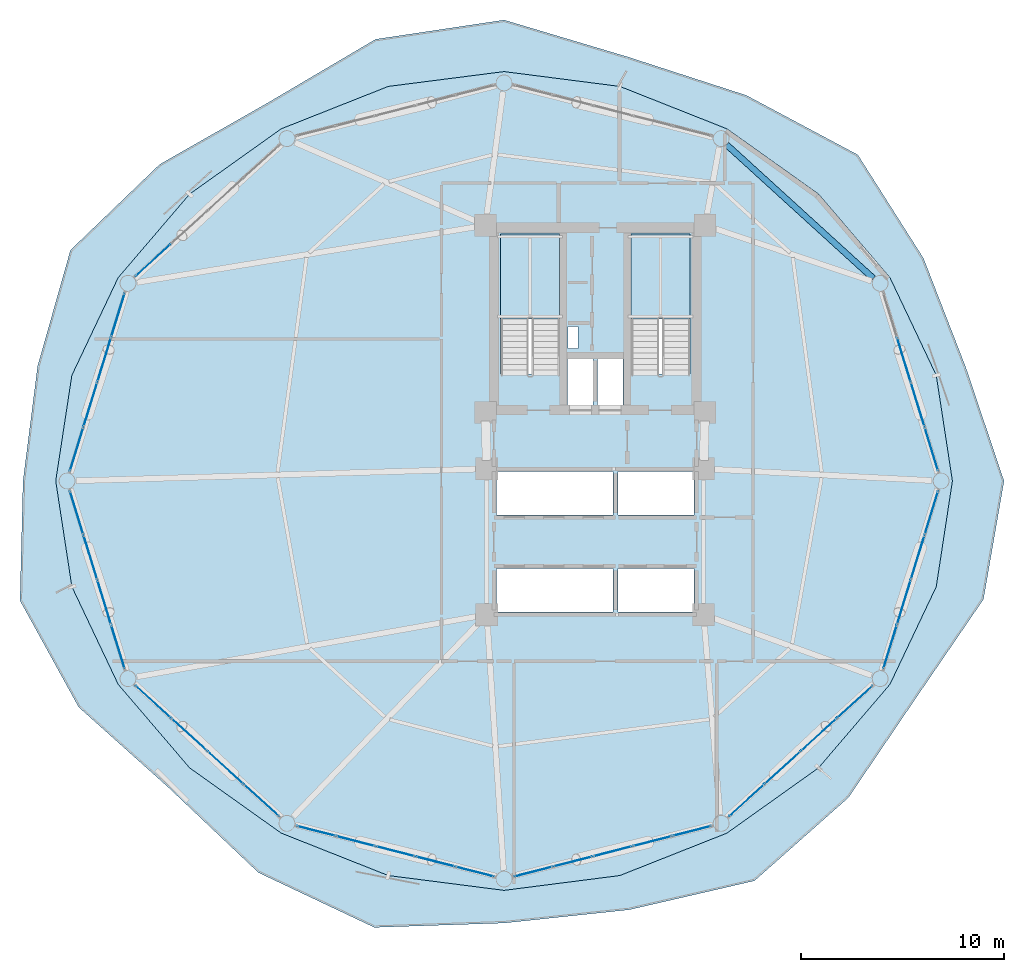
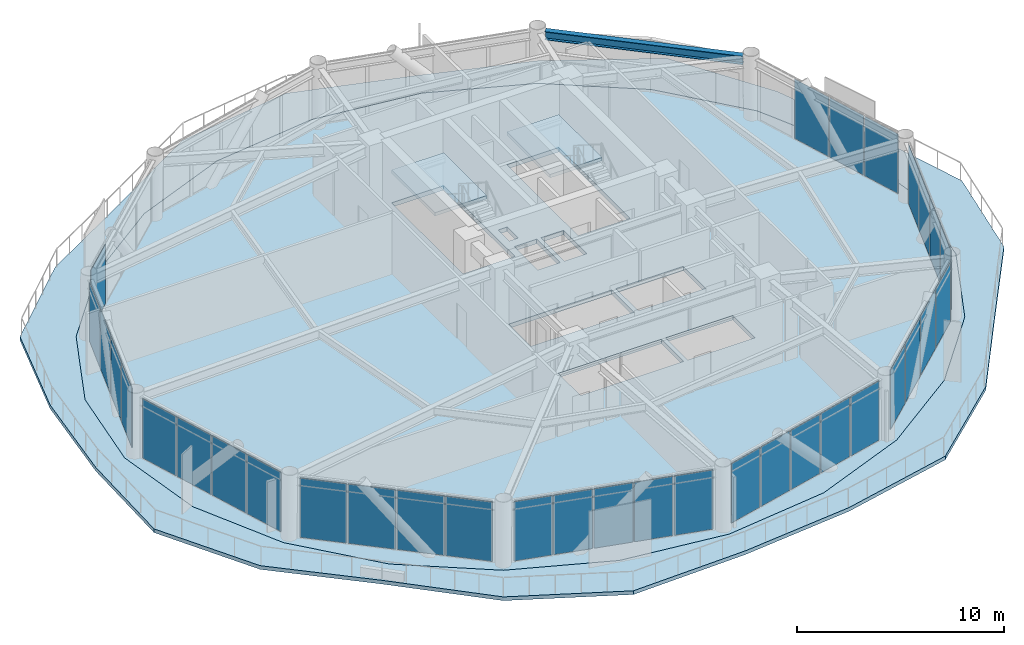
# One storey, part 18 of 24: 34 plates, 4 slabs, 1 beam, 11 elements without a shape of their own.
"""IFC4 building model written with IfcOpenShell, lengths in metres."""

from ifc_helpers import new_model, si_unit, direction, frame, origin, origin_2d, place, context, subcontext, project, spatial, polyline, rectangle, i_section, outline, extrude, source, transform, mapped, material, layer, layer_set, material_profile, profile_set, type_object, type_shapes, element, aggregate, save


model = new_model("IFC4")

# Units and contexts
model_context = context("Model", 3, precision=1e-05, world=origin(), true_north=direction((0.0, 1.0)))
body_context = subcontext(model_context, "Body", "Model", "MODEL_VIEW")
ifc_project = project(units=[si_unit("LENGTHUNIT", "METRE"), si_unit("AREAUNIT", "SQUARE_METRE"), si_unit("VOLUMEUNIT", "CUBIC_METRE"), si_unit("PLANEANGLEUNIT", "RADIAN"), si_unit("MASSUNIT", "GRAM", prefix="KILO")], contexts=[model_context])

# Site, building, storey
site_placement = place(None, origin())
site = spatial("IfcSite", under=ifc_project, at=site_placement, CompositionType="ELEMENT")
building_placement = place(site_placement, origin())
building = spatial("IfcBuilding", under=site, at=building_placement, Name="Varnakorn Sky Granary", CompositionType="ELEMENT")
storey_placement = place(building_placement, frame((0.0, 0.0, 103.199951171875)))
storey = spatial("IfcBuildingStorey", under=building, at=storey_placement, Name="L25", CompositionType="ELEMENT", Elevation=103.199951171875)

# Beam
ifc_material_1 = material(Name="Steel S355JR", Category="steel")
ifc_material_profile = material_profile(ifc_material_1, i_section(OverallWidth=0.300048828125, OverallDepth=0.5, WebThickness=0.014404296875, FlangeThickness=0.028076171875, at=origin_2d()), Name="HE 500 B")
ifc_profile_set = profile_set([ifc_material_profile], Name="Steel S355JR")
beam_type = type_object("IfcBeamType", Name="BM-SPD-Z2", PredefinedType="SPANDREL", material=ifc_profile_set)
beam_placement = place(storey_placement, frame((16.72802734375, 10.002197265625, 3.39013671875), z_axis=(-0.739273749752, 0.67340502146, 0.0), x_axis=(-0.67340502146, -0.739273749752, 0.0)))
element("IfcBeam", 1, at=beam_placement, inside=storey, type_object=beam_type, Name="Perimeter Spandrel Ring Beam RB02 L25", PredefinedType="SPANDREL", context=body_context, shape_type="SweptSolid", body=[
    extrude(i_section(OverallWidth=0.300048828125, OverallDepth=0.5, WebThickness=0.014404296875, FlangeThickness=0.028076171875, at=origin_2d()), origin(), (0.0, 0.0, 1.0), 9.8037109375),
])

# Stair, slab
ifc_material_2 = material(Name="Concrete C40/50", Category="concrete")
stair_type = type_object("IfcStairType", Name="ST-MAIN-ASSEMBLY", PredefinedType="HALF_TURN_STAIR", material=ifc_material_2)
stair_1_placement = place(storey_placement, origin())
stair_1 = element("IfcStair", 2, at=stair_1_placement, inside=storey, type_object=stair_type, Name="L25 Protected Exit Stair ST-1", PredefinedType="HALF_TURN_STAIR")
ifc_layer_1 = layer(ifc_material_2, 0.199951171875, Name="Concrete C40/50")
ifc_layer_set_1 = layer_set([ifc_layer_1], Name="Concrete C40/50")
slab_type_1 = type_object("IfcSlabType", Name="ST-MAIN-LAND", PredefinedType="LANDING", material=ifc_layer_set_1)
slab_1_placement = place(storey_placement, frame((0.0, 0.0, 1.75)))
slab_1 = element("IfcSlab", 3, at=slab_1_placement, type_object=slab_type_1, Name="ST-1 landing 1", PredefinedType="LANDING", context=body_context, shape_type="SweptSolid", body=[
    extrude(outline(polyline([(1.239990234375, 8.0), (1.239990234375, 12.179931640625), (-1.669921875, 12.179931640625), (-1.669921875, 8.0), (1.239990234375, 8.0)])), origin(), (0.0, 0.0, 1.0), 0.199951171875),
])
aggregate(stair_1, [slab_1])

stair_2_placement = place(storey_placement, origin())
stair_2 = element("IfcStair", 4, at=stair_2_placement, inside=storey, type_object=stair_type, Name="L25 Protected Exit Stair ST-2", PredefinedType="HALF_TURN_STAIR")
slab_2_placement = place(storey_placement, frame((0.0, 0.0, 1.75)))
slab_2 = element("IfcSlab", 5, at=slab_2_placement, type_object=slab_type_1, Name="ST-2 landing 1", PredefinedType="LANDING", context=body_context, shape_type="SweptSolid", body=[
    extrude(outline(polyline([(7.679931640625, 8.0), (7.679931640625, 12.179931640625), (4.77001953125, 12.179931640625), (4.77001953125, 8.0), (7.679931640625, 8.0)])), origin(), (0.0, 0.0, 1.0), 0.199951171875),
])
aggregate(stair_2, [slab_2])

# Slabs
ifc_material_3 = material(Name="Precast concrete C40/50", Category="concrete")
ifc_layer_2 = layer(ifc_material_3, 0.219970703125, Name="Precast concrete C40/50")
ifc_layer_set_2 = layer_set([ifc_layer_2], Name="Precast concrete C40/50")
slab_type_2 = type_object("IfcSlabType", Name="ST-SL-DECK-220", PredefinedType="FLOOR", material=ifc_layer_set_2)
slab_3_placement = place(storey_placement, frame((0.0, 0.0, -0.219970703125)))
element("IfcSlab", 6, at=slab_3_placement, inside=storey, type_object=slab_type_2, Name="Wavy Sky-Farm Balcony Deck L25", PredefinedType="FLOOR", context=body_context, shape_type="SweptSolid", body=[
    extrude(outline(polyline([(23.1796875, 0.0), (21.29248046875, 5.609619140625), (19.2041015625, 10.9921875), (15.960693359375, 16.100830078125), (10.45361328125, 19.038818359375), (4.607177734375, 20.934814453125), (-1.5, 22.756591796875), (-7.840576171875, 21.805908203125), (-13.22021484375, 18.634765625), (-18.493896484375, 15.634033203125), (-22.904296875, 11.396240234375), (-24.525634765625, 5.672119140625), (-25.246337890625, 0.0), (-25.396484375, -5.905517578125), (-22.5, -11.162841796875), (-18.027099609375, -15.16748046875), (-13.62451171875, -19.334716796875), (-7.903076171875, -22.0390625), (-1.5, -21.8232421875), (4.669677734375, -21.168212890625), (10.85791015625, -19.739013671875), (15.493896484375, -15.634033203125), (18.800048828125, -10.7587890625), (22.163330078125, -5.8427734375), (23.1796875, 0.0)]), holes=[polyline([(20.633056640625, 0.0), (19.83544921875, 5.218994140625), (17.55078125, 10.03759765625), (14.023193359375, 14.163330078125), (9.4990234375, 17.385498046875), (4.216796875, 19.477783203125), (-1.5, 20.2099609375), (-7.216796875, 19.477783203125), (-12.4990234375, 17.385498046875), (-17.023193359375, 14.163330078125), (-20.55078125, 10.03759765625), (-22.83544921875, 5.218994140625), (-23.633056640625, 0.0), (-22.83544921875, -5.218994140625), (-20.55078125, -10.03759765625), (-17.023193359375, -14.163330078125), (-12.4990234375, -17.385498046875), (-7.216796875, -19.477783203125), (-1.5, -20.2099609375), (4.216796875, -19.477783203125), (9.4990234375, -17.385498046875), (14.023193359375, -14.163330078125), (17.55078125, -10.03759765625), (19.83544921875, -5.218994140625), (20.633056640625, 0.0)])]), origin(), (0.0, 0.0, 1.0), 0.219970703125),
])
ifc_material_4 = material(Name="Concrete C50/60", Category="concrete")
ifc_layer_3 = layer(ifc_material_4, 0.260009765625, Name="Concrete C50/60")
ifc_layer_set_3 = layer_set([ifc_layer_3], Name="Concrete C50/60")
slab_type_3 = type_object("IfcSlabType", Name="ST-SL-TWR-260", PredefinedType="FLOOR", material=ifc_layer_set_3)
slab_4_placement = place(storey_placement, frame((0.0, 0.0, -0.260009765625)))
element("IfcSlab", 7, at=slab_4_placement, inside=storey, type_object=slab_type_3, Name="Level L25 Structural Floor Slab", PredefinedType="FLOOR", context=body_context, shape_type="SweptSolid", body=[
    extrude(outline(polyline([(20.633056640625, 0.0), (19.83544921875, 5.218994140625), (17.55078125, 10.03759765625), (14.023193359375, 14.163330078125), (9.4990234375, 17.385498046875), (4.216796875, 19.477783203125), (-1.5, 20.2099609375), (-7.216796875, 19.477783203125), (-12.4990234375, 17.385498046875), (-17.023193359375, 14.163330078125), (-20.55078125, 10.03759765625), (-22.83544921875, 5.218994140625), (-23.633056640625, 0.0), (-22.83544921875, -5.218994140625), (-20.55078125, -10.03759765625), (-17.023193359375, -14.163330078125), (-12.4990234375, -17.385498046875), (-7.216796875, -19.477783203125), (-1.5, -20.2099609375), (4.216796875, -19.477783203125), (9.4990234375, -17.385498046875), (14.023193359375, -14.163330078125), (17.55078125, -10.03759765625), (19.83544921875, -5.218994140625), (20.633056640625, 0.0)]), holes=[polyline([(1.239990234375, 5.27490234375), (1.239990234375, 12.179931640625), (-1.669921875, 12.179931640625), (-1.669921875, 5.27490234375), (1.239990234375, 5.27490234375)]), polyline([(7.679931640625, 5.27490234375), (7.679931640625, 12.179931640625), (4.77001953125, 12.179931640625), (4.77001953125, 5.27490234375), (7.679931640625, 5.27490234375)]), polyline([(1.659912109375, 6.550048828125), (2.14990234375, 6.550048828125), (2.14990234375, 7.6201171875), (1.659912109375, 7.6201171875), (1.659912109375, 6.550048828125)]), polyline([(1.6201171875, 3.739990234375), (2.8798828125, 3.739990234375), (2.8798828125, 6.010009765625), (1.6201171875, 6.010009765625), (1.6201171875, 3.739990234375)]), polyline([(3.1201171875, 3.739990234375), (4.3798828125, 3.739990234375), (4.3798828125, 6.010009765625), (3.1201171875, 6.010009765625), (3.1201171875, 3.739990234375)]), polyline([(-1.8798828125, -1.679931640625), (3.8798828125, -1.679931640625), (3.8798828125, 0.47998046875), (-1.8798828125, 0.47998046875), (-1.8798828125, -1.679931640625)]), polyline([(4.1201171875, -1.679931640625), (7.8798828125, -1.679931640625), (7.8798828125, 0.47998046875), (4.1201171875, 0.47998046875), (4.1201171875, -1.679931640625)]), polyline([(-1.8798828125, -6.47998046875), (3.8798828125, -6.47998046875), (3.8798828125, -4.320068359375), (-1.8798828125, -4.320068359375), (-1.8798828125, -6.47998046875)]), polyline([(4.1201171875, -6.47998046875), (7.8798828125, -6.47998046875), (7.8798828125, -4.320068359375), (4.1201171875, -4.320068359375), (4.1201171875, -6.47998046875)])]), origin(), (0.0, 0.0, 1.0), 0.260009765625),
])

# Curtain wall, plate
ifc_material_5 = material(Name="Anodised Bronze Aluminium Alloy 6063-T6", Category="aluminium")
ifc_layer_4 = layer(ifc_material_5, 0.179931640625, Name="Anodised Bronze Aluminium Alloy 6063-T6")
ifc_layer_set_4 = layer_set([ifc_layer_4], Name="Anodised Bronze Aluminium Alloy 6063-T6")
curtain_wall_type = type_object("IfcCurtainWallType", Name="CW-FRM-2", PredefinedType="USERDEFINED", material=ifc_layer_set_4)
curtain_wall_1_placement = place(storey_placement, origin())
curtain_wall_1 = element("IfcCurtainWall", 8, at=curtain_wall_1_placement, inside=storey, type_object=curtain_wall_type, Name="Unitised Curtain Wall CW4 CW-L25-B01", ObjectType="CURTAIN WALL", PredefinedType="USERDEFINED")
ifc_material_6 = material(Name="Low-E Tinted Laminated Glass", Category="glass")
ifc_layer_5 = layer(ifc_material_6, 0.02587890625, Name="Low-E Tinted Laminated Glass")
ifc_layer_set_5 = layer_set([ifc_layer_5], Name="Low-E Tinted Laminated Glass")
plate_type = type_object("IfcPlateType", Name="CW-FRM-2-PNL", PredefinedType="CURTAIN_PANEL")
shared_shape_1 = source(origin(), body_context, "Body", "SweptSolid", [
    extrude(rectangle(XDim=2.215576171875, YDim=0.02587890625, at=origin_2d()), origin(), (0.0, 0.0, 1.0), 3.510009765625),
])
plate_1_placement = place(storey_placement, frame((19.5986328125, 1.5712890625, 0.06494140625), z_axis=(0.0, 0.0, 1.0), x_axis=(0.294498393873, -0.955651974312, 0.0)))
plate_1 = element("IfcPlate", 9, at=plate_1_placement, type_object=plate_type, material=ifc_layer_set_5, Name="CW4 vision glazing unit 4.1", PredefinedType="CURTAIN_PANEL", context=body_context, shape_type="MappedRepresentation", body=[
    mapped(shared_shape_1, transform((0.0, 0.0, 0.0), x_axis=(1.0, 0.0, 0.0), y_axis=(0.0, 1.0, 0.0), z_axis=(0.0, 0.0, 1.0), scale=1.0)),
])

# Curtain wall, plates
curtain_wall_2_placement = place(storey_placement, origin())
curtain_wall_2 = element("IfcCurtainWall", 10, at=curtain_wall_2_placement, inside=storey, type_object=curtain_wall_type, Name="Unitised Curtain Wall CW4 CW-L25-B06", ObjectType="CURTAIN WALL", PredefinedType="USERDEFINED")
plate_2_placement = place(storey_placement, frame((-22.5986328125, 1.5712890625, 0.06494140625), z_axis=(0.0, 0.0, 1.0), x_axis=(0.294498393873, 0.955651974312, 0.0)))
plate_2 = element("IfcPlate", 11, at=plate_2_placement, type_object=plate_type, material=ifc_layer_set_5, Name="CW4 vision glazing unit 1.1", PredefinedType="CURTAIN_PANEL", context=body_context, shape_type="MappedRepresentation", body=[
    mapped(shared_shape_1, transform((0.0, 0.0, 0.0), x_axis=(1.0, 0.0, 0.0), y_axis=(0.0, 1.0, 0.0), z_axis=(0.0, 0.0, 1.0), scale=1.0)),
])
plate_3_placement = place(storey_placement, frame((-20.558837890625, 8.191162109375, 0.06494140625), z_axis=(0.0, 0.0, 1.0), x_axis=(0.294498393873, 0.955651974312, 0.0)))
plate_3 = element("IfcPlate", 12, at=plate_3_placement, type_object=plate_type, material=ifc_layer_set_5, Name="CW4 vision glazing unit 4.1", PredefinedType="CURTAIN_PANEL", context=body_context, shape_type="MappedRepresentation", body=[
    mapped(shared_shape_1, transform((0.0, 0.0, 0.0), x_axis=(1.0, 0.0, 0.0), y_axis=(0.0, 1.0, 0.0), z_axis=(0.0, 0.0, 1.0), scale=1.0)),
])

curtain_wall_3_placement = place(storey_placement, origin())
curtain_wall_3 = element("IfcCurtainWall", 13, at=curtain_wall_3_placement, inside=storey, type_object=curtain_wall_type, Name="Unitised Curtain Wall CW4 CW-L25-B07", ObjectType="CURTAIN WALL", PredefinedType="USERDEFINED")
plate_4_placement = place(storey_placement, frame((-20.558837890625, -8.191162109375, 0.06494140625), z_axis=(0.0, 0.0, 1.0), x_axis=(-0.294498393873, 0.955651974312, 0.0)))
plate_4 = element("IfcPlate", 14, at=plate_4_placement, type_object=plate_type, material=ifc_layer_set_5, Name="CW4 vision glazing unit 1.1", PredefinedType="CURTAIN_PANEL", context=body_context, shape_type="MappedRepresentation", body=[
    mapped(shared_shape_1, transform((0.0, 0.0, 0.0), x_axis=(1.0, 0.0, 0.0), y_axis=(0.0, 1.0, 0.0), z_axis=(0.0, 0.0, 1.0), scale=1.0)),
])
plate_5_placement = place(storey_placement, frame((-22.5986328125, -1.5712890625, 0.06494140625), z_axis=(0.0, 0.0, 1.0), x_axis=(-0.294498393873, 0.955651974312, 0.0)))
plate_5 = element("IfcPlate", 15, at=plate_5_placement, type_object=plate_type, material=ifc_layer_set_5, Name="CW4 vision glazing unit 4.1", PredefinedType="CURTAIN_PANEL", context=body_context, shape_type="MappedRepresentation", body=[
    mapped(shared_shape_1, transform((0.0, 0.0, 0.0), x_axis=(1.0, 0.0, 0.0), y_axis=(0.0, 1.0, 0.0), z_axis=(0.0, 0.0, 1.0), scale=1.0)),
])

curtain_wall_4_placement = place(storey_placement, origin())
curtain_wall_4 = element("IfcCurtainWall", 16, at=curtain_wall_4_placement, inside=storey, type_object=curtain_wall_type, Name="Unitised Curtain Wall CW4 CW-L25-B12", ObjectType="CURTAIN WALL", PredefinedType="USERDEFINED")
plate_6_placement = place(storey_placement, frame((19.5986328125, -1.5712890625, 0.06494140625), z_axis=(0.0, 0.0, 1.0), x_axis=(-0.294498393873, -0.955651974312, 0.0)))
plate_6 = element("IfcPlate", 17, at=plate_6_placement, type_object=plate_type, material=ifc_layer_set_5, Name="CW4 vision glazing unit 1.1", PredefinedType="CURTAIN_PANEL", context=body_context, shape_type="MappedRepresentation", body=[
    mapped(shared_shape_1, transform((0.0, 0.0, 0.0), x_axis=(1.0, 0.0, 0.0), y_axis=(0.0, 1.0, 0.0), z_axis=(0.0, 0.0, 1.0), scale=1.0)),
])
plate_7_placement = place(storey_placement, frame((17.558837890625, -8.191162109375, 0.06494140625), z_axis=(0.0, 0.0, 1.0), x_axis=(-0.294498393873, -0.955651974312, 0.0)))
plate_7 = element("IfcPlate", 18, at=plate_7_placement, type_object=plate_type, material=ifc_layer_set_5, Name="CW4 vision glazing unit 4.1", PredefinedType="CURTAIN_PANEL", context=body_context, shape_type="MappedRepresentation", body=[
    mapped(shared_shape_1, transform((0.0, 0.0, 0.0), x_axis=(1.0, 0.0, 0.0), y_axis=(0.0, 1.0, 0.0), z_axis=(0.0, 0.0, 1.0), scale=1.0)),
])

# Plate
ifc_material_7 = material(Name="Opaque Insulated Aluminium Shadow-Box Unit", Category="aluminium")
ifc_layer_6 = layer(ifc_material_7, 0.02587890625, Name="Opaque Insulated Aluminium Shadow-Box Unit")
ifc_layer_set_6 = layer_set([ifc_layer_6], Name="Opaque Insulated Aluminium Shadow-Box Unit")
shared_shape_2 = source(origin(), body_context, "Body", "SweptSolid", [
    extrude(rectangle(XDim=2.250732421875, YDim=0.02587890625, at=origin_2d()), origin(), (0.0, 0.0, 1.0), 3.510009765625),
])
plate_8_placement = place(storey_placement, frame((18.237060546875, 5.990234375, 0.06494140625), z_axis=(0.0, 0.0, 1.0), x_axis=(0.294498393873, -0.955651974312, 0.0)))
plate_8 = element("IfcPlate", 19, at=plate_8_placement, type_object=plate_type, material=ifc_layer_set_6, Name="CW4 opaque insulated shadow-box unit 2.1", PredefinedType="CURTAIN_PANEL", context=body_context, shape_type="MappedRepresentation", body=[
    mapped(shared_shape_2, transform((0.0, 0.0, 0.0), x_axis=(1.0, 0.0, 0.0), y_axis=(0.0, 1.0, 0.0), z_axis=(0.0, 0.0, 1.0), scale=1.0)),
])

plate_9_placement = place(storey_placement, frame((18.92041015625, 3.7724609375, 0.06494140625), z_axis=(0.0, 0.0, 1.0), x_axis=(0.294498393873, -0.955651974312, 0.0)))
plate_9 = element("IfcPlate", 20, at=plate_9_placement, type_object=plate_type, material=ifc_layer_set_6, Name="CW4 opaque insulated shadow-box unit 3.1", PredefinedType="CURTAIN_PANEL", context=body_context, shape_type="MappedRepresentation", body=[
    mapped(shared_shape_2, transform((0.0, 0.0, 0.0), x_axis=(1.0, 0.0, 0.0), y_axis=(0.0, 1.0, 0.0), z_axis=(0.0, 0.0, 1.0), scale=1.0)),
])

aggregate(curtain_wall_1, [plate_8, plate_9, plate_1])

plate_10_placement = place(storey_placement, frame((-21.92041015625, 3.7724609375, 0.06494140625), z_axis=(0.0, 0.0, 1.0), x_axis=(0.294498393873, 0.955651974312, 0.0)))
plate_10 = element("IfcPlate", 21, at=plate_10_placement, type_object=plate_type, material=ifc_layer_set_6, Name="CW4 opaque insulated shadow-box unit 2.1", PredefinedType="CURTAIN_PANEL", context=body_context, shape_type="MappedRepresentation", body=[
    mapped(shared_shape_2, transform((0.0, 0.0, 0.0), x_axis=(1.0, 0.0, 0.0), y_axis=(0.0, 1.0, 0.0), z_axis=(0.0, 0.0, 1.0), scale=1.0)),
])

plate_11_placement = place(storey_placement, frame((-21.237060546875, 5.990234375, 0.06494140625), z_axis=(0.0, 0.0, 1.0), x_axis=(0.294498393873, 0.955651974312, 0.0)))
plate_11 = element("IfcPlate", 22, at=plate_11_placement, type_object=plate_type, material=ifc_layer_set_6, Name="CW4 opaque insulated shadow-box unit 3.1", PredefinedType="CURTAIN_PANEL", context=body_context, shape_type="MappedRepresentation", body=[
    mapped(shared_shape_2, transform((0.0, 0.0, 0.0), x_axis=(1.0, 0.0, 0.0), y_axis=(0.0, 1.0, 0.0), z_axis=(0.0, 0.0, 1.0), scale=1.0)),
])

aggregate(curtain_wall_2, [plate_2, plate_10, plate_11, plate_3])

plate_12_placement = place(storey_placement, frame((-21.237060546875, -5.990234375, 0.06494140625), z_axis=(0.0, 0.0, 1.0), x_axis=(-0.294498393873, 0.955651974312, 0.0)))
plate_12 = element("IfcPlate", 23, at=plate_12_placement, type_object=plate_type, material=ifc_layer_set_6, Name="CW4 opaque insulated shadow-box unit 2.1", PredefinedType="CURTAIN_PANEL", context=body_context, shape_type="MappedRepresentation", body=[
    mapped(shared_shape_2, transform((0.0, 0.0, 0.0), x_axis=(1.0, 0.0, 0.0), y_axis=(0.0, 1.0, 0.0), z_axis=(0.0, 0.0, 1.0), scale=1.0)),
])

plate_13_placement = place(storey_placement, frame((-21.92041015625, -3.7724609375, 0.06494140625), z_axis=(0.0, 0.0, 1.0), x_axis=(-0.294498393873, 0.955651974312, 0.0)))
plate_13 = element("IfcPlate", 24, at=plate_13_placement, type_object=plate_type, material=ifc_layer_set_6, Name="CW4 opaque insulated shadow-box unit 3.1", PredefinedType="CURTAIN_PANEL", context=body_context, shape_type="MappedRepresentation", body=[
    mapped(shared_shape_2, transform((0.0, 0.0, 0.0), x_axis=(1.0, 0.0, 0.0), y_axis=(0.0, 1.0, 0.0), z_axis=(0.0, 0.0, 1.0), scale=1.0)),
])

aggregate(curtain_wall_3, [plate_4, plate_12, plate_13, plate_5])

plate_14_placement = place(storey_placement, frame((18.92041015625, -3.7724609375, 0.06494140625), z_axis=(0.0, 0.0, 1.0), x_axis=(-0.294498393873, -0.955651974312, 0.0)))
plate_14 = element("IfcPlate", 25, at=plate_14_placement, type_object=plate_type, material=ifc_layer_set_6, Name="CW4 opaque insulated shadow-box unit 2.1", PredefinedType="CURTAIN_PANEL", context=body_context, shape_type="MappedRepresentation", body=[
    mapped(shared_shape_2, transform((0.0, 0.0, 0.0), x_axis=(1.0, 0.0, 0.0), y_axis=(0.0, 1.0, 0.0), z_axis=(0.0, 0.0, 1.0), scale=1.0)),
])

plate_15_placement = place(storey_placement, frame((18.237060546875, -5.990234375, 0.06494140625), z_axis=(0.0, 0.0, 1.0), x_axis=(-0.294498393873, -0.955651974312, 0.0)))
plate_15 = element("IfcPlate", 26, at=plate_15_placement, type_object=plate_type, material=ifc_layer_set_6, Name="CW4 opaque insulated shadow-box unit 3.1", PredefinedType="CURTAIN_PANEL", context=body_context, shape_type="MappedRepresentation", body=[
    mapped(shared_shape_2, transform((0.0, 0.0, 0.0), x_axis=(1.0, 0.0, 0.0), y_axis=(0.0, 1.0, 0.0), z_axis=(0.0, 0.0, 1.0), scale=1.0)),
])

aggregate(curtain_wall_4, [plate_6, plate_14, plate_15, plate_7])

# Curtain wall, plates
curtain_wall_5_placement = place(storey_placement, origin())
curtain_wall_5 = element("IfcCurtainWall", 27, at=curtain_wall_5_placement, inside=storey, type_object=curtain_wall_type, Name="Unitised Curtain Wall CW4 CW-L25-B09", ObjectType="CURTAIN WALL", PredefinedType="USERDEFINED")
shared_shape_3 = source(origin(), body_context, "Body", "SweptSolid", [
    extrude(rectangle(XDim=1.922607421875, YDim=0.02587890625, at=origin_2d()), origin(), (0.0, 0.0, 1.0), 3.510009765625),
])
plate_16_placement = place(storey_placement, frame((-2.950927734375, -19.287841796875, 0.06494140625), z_axis=(0.0, 0.0, 1.0), x_axis=(-0.968637756196, 0.24847715644, 0.0)))
plate_16 = element("IfcPlate", 28, at=plate_16_placement, type_object=plate_type, material=ifc_layer_set_5, Name="CW4 vision glazing unit 1.1", PredefinedType="CURTAIN_PANEL", context=body_context, shape_type="MappedRepresentation", body=[
    mapped(shared_shape_3, transform((0.0, 0.0, 0.0), x_axis=(1.0, 0.0, 0.0), y_axis=(0.0, 1.0, 0.0), z_axis=(0.0, 0.0, 1.0), scale=1.0)),
])
plate_17_placement = place(storey_placement, frame((-10.773193359375, -17.28125, 0.06494140625), z_axis=(0.0, 0.0, 1.0), x_axis=(-0.968637756196, 0.24847715644, 0.0)))
plate_17 = element("IfcPlate", 29, at=plate_17_placement, type_object=plate_type, material=ifc_layer_set_5, Name="CW4 vision glazing unit 5.1", PredefinedType="CURTAIN_PANEL", context=body_context, shape_type="MappedRepresentation", body=[
    mapped(shared_shape_3, transform((0.0, 0.0, 0.0), x_axis=(1.0, 0.0, 0.0), y_axis=(0.0, 1.0, 0.0), z_axis=(0.0, 0.0, 1.0), scale=1.0)),
])

curtain_wall_6_placement = place(storey_placement, origin())
curtain_wall_6 = element("IfcCurtainWall", 30, at=curtain_wall_6_placement, inside=storey, type_object=curtain_wall_type, Name="Unitised Curtain Wall CW4 CW-L25-B10", ObjectType="CURTAIN WALL", PredefinedType="USERDEFINED")
plate_18_placement = place(storey_placement, frame((7.773193359375, -17.28125, 0.06494140625), z_axis=(0.0, 0.0, 1.0), x_axis=(-0.968637756196, -0.24847715644, 0.0)))
plate_18 = element("IfcPlate", 31, at=plate_18_placement, type_object=plate_type, material=ifc_layer_set_5, Name="CW4 vision glazing unit 1.1", PredefinedType="CURTAIN_PANEL", context=body_context, shape_type="MappedRepresentation", body=[
    mapped(shared_shape_3, transform((0.0, 0.0, 0.0), x_axis=(1.0, 0.0, 0.0), y_axis=(0.0, 1.0, 0.0), z_axis=(0.0, 0.0, 1.0), scale=1.0)),
])
plate_19_placement = place(storey_placement, frame((-0.049072265625, -19.287841796875, 0.06494140625), z_axis=(0.0, 0.0, 1.0), x_axis=(-0.968637756196, -0.24847715644, 0.0)))
plate_19 = element("IfcPlate", 32, at=plate_19_placement, type_object=plate_type, material=ifc_layer_set_5, Name="CW4 vision glazing unit 5.1", PredefinedType="CURTAIN_PANEL", context=body_context, shape_type="MappedRepresentation", body=[
    mapped(shared_shape_3, transform((0.0, 0.0, 0.0), x_axis=(1.0, 0.0, 0.0), y_axis=(0.0, 1.0, 0.0), z_axis=(0.0, 0.0, 1.0), scale=1.0)),
])

# Plate
shared_shape_4 = source(origin(), body_context, "Body", "SweptSolid", [
    extrude(rectangle(XDim=1.95751953125, YDim=0.02587890625, at=origin_2d()), origin(), (0.0, 0.0, 1.0), 3.510009765625),
])
plate_20_placement = place(storey_placement, frame((-4.89794921875, -18.788330078125, 0.06494140625), z_axis=(0.0, 0.0, 1.0), x_axis=(-0.968637756196, 0.24847715644, 0.0)))
plate_20 = element("IfcPlate", 33, at=plate_20_placement, type_object=plate_type, material=ifc_layer_set_6, Name="CW4 opaque insulated shadow-box unit 2.1", PredefinedType="CURTAIN_PANEL", context=body_context, shape_type="MappedRepresentation", body=[
    mapped(shared_shape_4, transform((0.0, 0.0, 0.0), x_axis=(1.0, 0.0, 0.0), y_axis=(0.0, 1.0, 0.0), z_axis=(0.0, 0.0, 1.0), scale=1.0)),
])

plate_21_placement = place(storey_placement, frame((-6.862060546875, -18.28466796875, 0.06494140625), z_axis=(0.0, 0.0, 1.0), x_axis=(-0.968637756196, 0.24847715644, 0.0)))
plate_21 = element("IfcPlate", 34, at=plate_21_placement, type_object=plate_type, material=ifc_layer_set_6, Name="CW4 opaque insulated shadow-box unit 3.1", PredefinedType="CURTAIN_PANEL", context=body_context, shape_type="MappedRepresentation", body=[
    mapped(shared_shape_4, transform((0.0, 0.0, 0.0), x_axis=(1.0, 0.0, 0.0), y_axis=(0.0, 1.0, 0.0), z_axis=(0.0, 0.0, 1.0), scale=1.0)),
])

plate_22_placement = place(storey_placement, frame((-8.825927734375, -17.78076171875, 0.06494140625), z_axis=(0.0, 0.0, 1.0), x_axis=(-0.968637756196, 0.24847715644, 0.0)))
plate_22 = element("IfcPlate", 35, at=plate_22_placement, type_object=plate_type, material=ifc_layer_set_6, Name="CW4 opaque insulated shadow-box unit 4.1", PredefinedType="CURTAIN_PANEL", context=body_context, shape_type="MappedRepresentation", body=[
    mapped(shared_shape_4, transform((0.0, 0.0, 0.0), x_axis=(1.0, 0.0, 0.0), y_axis=(0.0, 1.0, 0.0), z_axis=(0.0, 0.0, 1.0), scale=1.0)),
])

aggregate(curtain_wall_5, [plate_16, plate_20, plate_21, plate_22, plate_17])

plate_23_placement = place(storey_placement, frame((5.825927734375, -17.78076171875, 0.06494140625), z_axis=(0.0, 0.0, 1.0), x_axis=(-0.968637756196, -0.24847715644, 0.0)))
plate_23 = element("IfcPlate", 36, at=plate_23_placement, type_object=plate_type, material=ifc_layer_set_6, Name="CW4 opaque insulated shadow-box unit 2.1", PredefinedType="CURTAIN_PANEL", context=body_context, shape_type="MappedRepresentation", body=[
    mapped(shared_shape_4, transform((0.0, 0.0, 0.0), x_axis=(1.0, 0.0, 0.0), y_axis=(0.0, 1.0, 0.0), z_axis=(0.0, 0.0, 1.0), scale=1.0)),
])

plate_24_placement = place(storey_placement, frame((3.862060546875, -18.28466796875, 0.06494140625), z_axis=(0.0, 0.0, 1.0), x_axis=(-0.968637756196, -0.24847715644, 0.0)))
plate_24 = element("IfcPlate", 37, at=plate_24_placement, type_object=plate_type, material=ifc_layer_set_6, Name="CW4 opaque insulated shadow-box unit 3.1", PredefinedType="CURTAIN_PANEL", context=body_context, shape_type="MappedRepresentation", body=[
    mapped(shared_shape_4, transform((0.0, 0.0, 0.0), x_axis=(1.0, 0.0, 0.0), y_axis=(0.0, 1.0, 0.0), z_axis=(0.0, 0.0, 1.0), scale=1.0)),
])

plate_25_placement = place(storey_placement, frame((1.89794921875, -18.788330078125, 0.06494140625), z_axis=(0.0, 0.0, 1.0), x_axis=(-0.968637756196, -0.24847715644, 0.0)))
plate_25 = element("IfcPlate", 38, at=plate_25_placement, type_object=plate_type, material=ifc_layer_set_6, Name="CW4 opaque insulated shadow-box unit 4.1", PredefinedType="CURTAIN_PANEL", context=body_context, shape_type="MappedRepresentation", body=[
    mapped(shared_shape_4, transform((0.0, 0.0, 0.0), x_axis=(1.0, 0.0, 0.0), y_axis=(0.0, 1.0, 0.0), z_axis=(0.0, 0.0, 1.0), scale=1.0)),
])

aggregate(curtain_wall_6, [plate_18, plate_23, plate_24, plate_25, plate_19])

# Curtain wall, plate
curtain_wall_7_placement = place(storey_placement, origin())
curtain_wall_7 = element("IfcCurtainWall", 39, at=curtain_wall_7_placement, inside=storey, type_object=curtain_wall_type, Name="Unitised Curtain Wall CW4 CW-L25-B05", ObjectType="CURTAIN WALL", PredefinedType="USERDEFINED")
shared_shape_5 = source(origin(), body_context, "Body", "SweptSolid", [
    extrude(rectangle(XDim=2.31591796875, YDim=0.02587890625, at=origin_2d()), origin(), (0.0, 0.0, 1.0), 3.510009765625),
])
plate_26_placement = place(storey_placement, frame((-18.821533203125, 10.903076171875, 0.06494140625), z_axis=(0.0, 0.0, 1.0), x_axis=(0.739474474282, 0.673184597183, 0.0)))
plate_26 = element("IfcPlate", 40, at=plate_26_placement, type_object=plate_type, material=ifc_layer_set_5, Name="CW4 vision glazing unit 1.1", PredefinedType="CURTAIN_PANEL", context=body_context, shape_type="MappedRepresentation", body=[
    mapped(shared_shape_5, transform((0.0, 0.0, 0.0), x_axis=(1.0, 0.0, 0.0), y_axis=(0.0, 1.0, 0.0), z_axis=(0.0, 0.0, 1.0), scale=1.0)),
])
aggregate(curtain_wall_7, [plate_26])

# Curtain wall, plates
curtain_wall_8_placement = place(storey_placement, origin())
curtain_wall_8 = element("IfcCurtainWall", 41, at=curtain_wall_8_placement, inside=storey, type_object=curtain_wall_type, Name="Unitised Curtain Wall CW4 CW-L25-B08", ObjectType="CURTAIN WALL", PredefinedType="USERDEFINED")
plate_27_placement = place(storey_placement, frame((-13.47705078125, -15.7685546875, 0.06494140625), z_axis=(0.0, 0.0, 1.0), x_axis=(-0.739474474282, 0.673184597183, 0.0)))
plate_27 = element("IfcPlate", 42, at=plate_27_placement, type_object=plate_type, material=ifc_layer_set_5, Name="CW4 vision glazing unit 1.1", PredefinedType="CURTAIN_PANEL", context=body_context, shape_type="MappedRepresentation", body=[
    mapped(shared_shape_5, transform((0.0, 0.0, 0.0), x_axis=(1.0, 0.0, 0.0), y_axis=(0.0, 1.0, 0.0), z_axis=(0.0, 0.0, 1.0), scale=1.0)),
])
plate_28_placement = place(storey_placement, frame((-18.821533203125, -10.903076171875, 0.06494140625), z_axis=(0.0, 0.0, 1.0), x_axis=(-0.739474474282, 0.673184597183, 0.0)))
plate_28 = element("IfcPlate", 43, at=plate_28_placement, type_object=plate_type, material=ifc_layer_set_5, Name="CW4 vision glazing unit 4.1", PredefinedType="CURTAIN_PANEL", context=body_context, shape_type="MappedRepresentation", body=[
    mapped(shared_shape_5, transform((0.0, 0.0, 0.0), x_axis=(1.0, 0.0, 0.0), y_axis=(0.0, 1.0, 0.0), z_axis=(0.0, 0.0, 1.0), scale=1.0)),
])

curtain_wall_9_placement = place(storey_placement, origin())
curtain_wall_9 = element("IfcCurtainWall", 44, at=curtain_wall_9_placement, inside=storey, type_object=curtain_wall_type, Name="Unitised Curtain Wall CW4 CW-L25-B11", ObjectType="CURTAIN WALL", PredefinedType="USERDEFINED")
plate_29_placement = place(storey_placement, frame((15.821533203125, -10.903076171875, 0.06494140625), z_axis=(0.0, 0.0, 1.0), x_axis=(-0.739474474282, -0.673184597183, 0.0)))
plate_29 = element("IfcPlate", 45, at=plate_29_placement, type_object=plate_type, material=ifc_layer_set_5, Name="CW4 vision glazing unit 1.1", PredefinedType="CURTAIN_PANEL", context=body_context, shape_type="MappedRepresentation", body=[
    mapped(shared_shape_5, transform((0.0, 0.0, 0.0), x_axis=(1.0, 0.0, 0.0), y_axis=(0.0, 1.0, 0.0), z_axis=(0.0, 0.0, 1.0), scale=1.0)),
])
plate_30_placement = place(storey_placement, frame((10.47705078125, -15.7685546875, 0.06494140625), z_axis=(0.0, 0.0, 1.0), x_axis=(-0.739474474282, -0.673184597183, 0.0)))
plate_30 = element("IfcPlate", 46, at=plate_30_placement, type_object=plate_type, material=ifc_layer_set_5, Name="CW4 vision glazing unit 4.1", PredefinedType="CURTAIN_PANEL", context=body_context, shape_type="MappedRepresentation", body=[
    mapped(shared_shape_5, transform((0.0, 0.0, 0.0), x_axis=(1.0, 0.0, 0.0), y_axis=(0.0, 1.0, 0.0), z_axis=(0.0, 0.0, 1.0), scale=1.0)),
])

# Plate
shared_shape_6 = source(origin(), body_context, "Body", "SweptSolid", [
    extrude(rectangle(XDim=2.350830078125, YDim=0.02587890625, at=origin_2d()), origin(), (0.0, 0.0, 1.0), 3.510009765625),
])
type_shapes(plate_type, [shared_shape_1, shared_shape_2, shared_shape_3, shared_shape_4, shared_shape_5, shared_shape_6])
plate_31_placement = place(storey_placement, frame((-15.254150390625, -14.150634765625, 0.06494140625), z_axis=(0.0, 0.0, 1.0), x_axis=(-0.739474474282, 0.673184597183, 0.0)))
plate_31 = element("IfcPlate", 47, at=plate_31_placement, type_object=plate_type, material=ifc_layer_set_6, Name="CW4 opaque insulated shadow-box unit 2.1", PredefinedType="CURTAIN_PANEL", context=body_context, shape_type="MappedRepresentation", body=[
    mapped(shared_shape_6, transform((0.0, 0.0, 0.0), x_axis=(1.0, 0.0, 0.0), y_axis=(0.0, 1.0, 0.0), z_axis=(0.0, 0.0, 1.0), scale=1.0)),
])

plate_32_placement = place(storey_placement, frame((-17.04443359375, -12.52099609375, 0.06494140625), z_axis=(0.0, 0.0, 1.0), x_axis=(-0.739474474282, 0.673184597183, 0.0)))
plate_32 = element("IfcPlate", 48, at=plate_32_placement, type_object=plate_type, material=ifc_layer_set_6, Name="CW4 opaque insulated shadow-box unit 3.1", PredefinedType="CURTAIN_PANEL", context=body_context, shape_type="MappedRepresentation", body=[
    mapped(shared_shape_6, transform((0.0, 0.0, 0.0), x_axis=(1.0, 0.0, 0.0), y_axis=(0.0, 1.0, 0.0), z_axis=(0.0, 0.0, 1.0), scale=1.0)),
])

aggregate(curtain_wall_8, [plate_27, plate_31, plate_32, plate_28])

plate_33_placement = place(storey_placement, frame((14.04443359375, -12.52099609375, 0.06494140625), z_axis=(0.0, 0.0, 1.0), x_axis=(-0.739474474282, -0.673184597183, 0.0)))
plate_33 = element("IfcPlate", 49, at=plate_33_placement, type_object=plate_type, material=ifc_layer_set_6, Name="CW4 opaque insulated shadow-box unit 2.1", PredefinedType="CURTAIN_PANEL", context=body_context, shape_type="MappedRepresentation", body=[
    mapped(shared_shape_6, transform((0.0, 0.0, 0.0), x_axis=(1.0, 0.0, 0.0), y_axis=(0.0, 1.0, 0.0), z_axis=(0.0, 0.0, 1.0), scale=1.0)),
])

plate_34_placement = place(storey_placement, frame((12.254150390625, -14.150634765625, 0.06494140625), z_axis=(0.0, 0.0, 1.0), x_axis=(-0.739474474282, -0.673184597183, 0.0)))
plate_34 = element("IfcPlate", 50, at=plate_34_placement, type_object=plate_type, material=ifc_layer_set_6, Name="CW4 opaque insulated shadow-box unit 3.1", PredefinedType="CURTAIN_PANEL", context=body_context, shape_type="MappedRepresentation", body=[
    mapped(shared_shape_6, transform((0.0, 0.0, 0.0), x_axis=(1.0, 0.0, 0.0), y_axis=(0.0, 1.0, 0.0), z_axis=(0.0, 0.0, 1.0), scale=1.0)),
])

aggregate(curtain_wall_9, [plate_29, plate_33, plate_34, plate_30])

save(model, "model.ifc")
